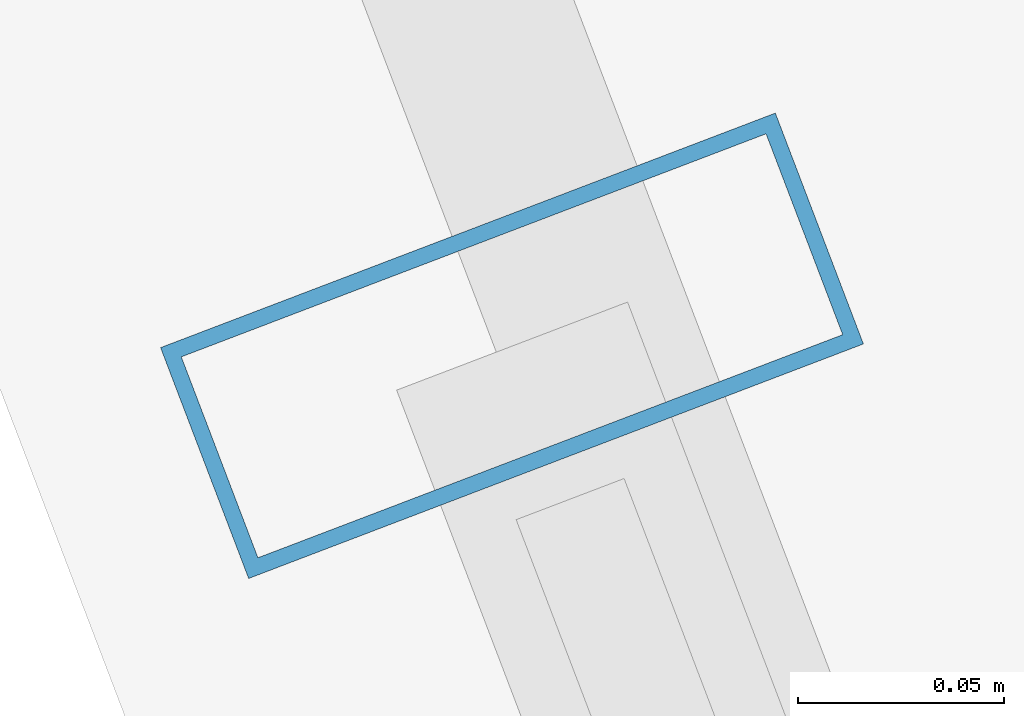
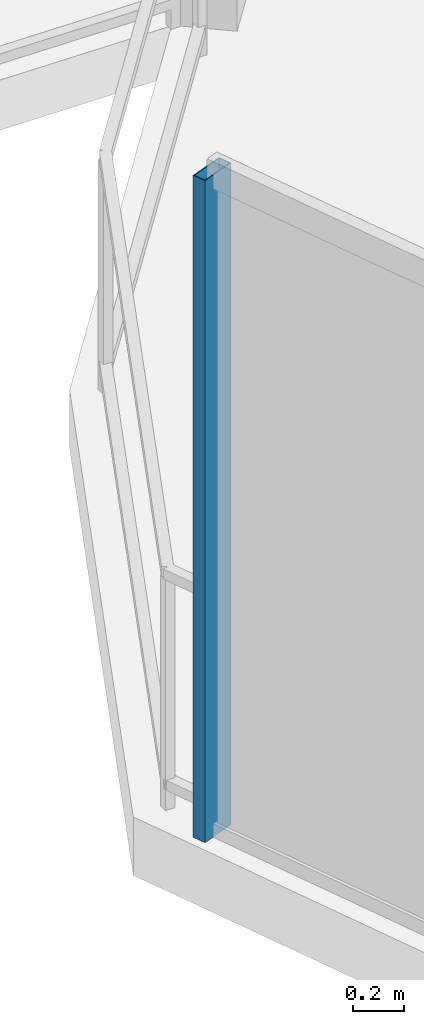
# One storey, part 15 of 31: 1 member, 1 element without a shape of its own.
"""IFC4 building model written with IfcOpenShell, lengths in metres."""

from ifc_helpers import new_model, si_unit, direction, frame, origin, origin_2d, place, context, subcontext, project, spatial, hollow_rectangle, extrude, material, layer, layer_set, material_profile, profile_set, type_object, element, aggregate, save


model = new_model("IFC4")

# Units and contexts
model_context = context("Model", 3, precision=1e-05, world=origin(), true_north=direction((0.0, 1.0)))
body_context = subcontext(model_context, "Body", "Model", "MODEL_VIEW")
ifc_project = project(units=[si_unit("LENGTHUNIT", "METRE"), si_unit("AREAUNIT", "SQUARE_METRE"), si_unit("VOLUMEUNIT", "CUBIC_METRE"), si_unit("PLANEANGLEUNIT", "RADIAN"), si_unit("MASSUNIT", "GRAM", prefix="KILO")], contexts=[model_context])

# Site, building, storey
site_placement = place(None, origin())
site = spatial("IfcSite", under=ifc_project, at=site_placement, CompositionType="ELEMENT")
building_placement = place(site_placement, origin())
building = spatial("IfcBuilding", under=site, at=building_placement, Name="Qarnah Convention Tower", CompositionType="ELEMENT")
storey_placement = place(building_placement, frame((0.0, 0.0, 33.89990234375)))
storey = spatial("IfcBuildingStorey", under=building, at=storey_placement, Name="L07", CompositionType="ELEMENT", Elevation=33.89990234375)

# Curtain wall, member
ifc_material_1 = material(Name="Tempered Low-E dark glass", Category="glass")
ifc_layer = layer(ifc_material_1, 0.16796875)
ifc_layer_set = layer_set([ifc_layer], Name="Tempered Low-E dark glass")
curtain_wall_type = type_object("IfcCurtainWallType", Name="CWS-01", PredefinedType="NOTDEFINED", material=ifc_layer_set)
curtain_wall_placement = place(storey_placement, origin())
curtain_wall = element("IfcCurtainWall", 1, at=curtain_wall_placement, inside=storey, type_object=curtain_wall_type, Name="L07 unitised curtain wall CW-L07-F2", PredefinedType="NOTDEFINED")
ifc_material_2 = material(Name="Black anodised aluminium", Category="aluminium")
ifc_material_profile = material_profile(ifc_material_2, hollow_rectangle(XDim=0.06005859375, YDim=0.159912109375, WallThickness=0.00390625, at=origin_2d()), Name="MUL-60X160")
ifc_profile_set = profile_set([ifc_material_profile], Name="Black anodised aluminium")
member_type = type_object("IfcMemberType", Name="MUL-T1", PredefinedType="MULLION", material=ifc_profile_set)
member_placement = place(storey_placement, frame((14.1201171875, 35.760986328125, 0.0), z_axis=(0.0, 0.0, 1.0), x_axis=(-0.356416493623, 0.934327182027, 0.0)))
member = element("IfcMember", 2, at=member_placement, type_object=member_type, Name="CW-L07-F2 mullion 6", PredefinedType="MULLION", context=body_context, shape_type="SweptSolid", body=[
    extrude(hollow_rectangle(XDim=0.06005859375, YDim=0.159912109375, WallThickness=0.00390625, at=origin_2d()), origin(), (0.0, 0.0, 1.0), 3.170166015625),
])
aggregate(curtain_wall, [member])

save(model, "model.ifc")
